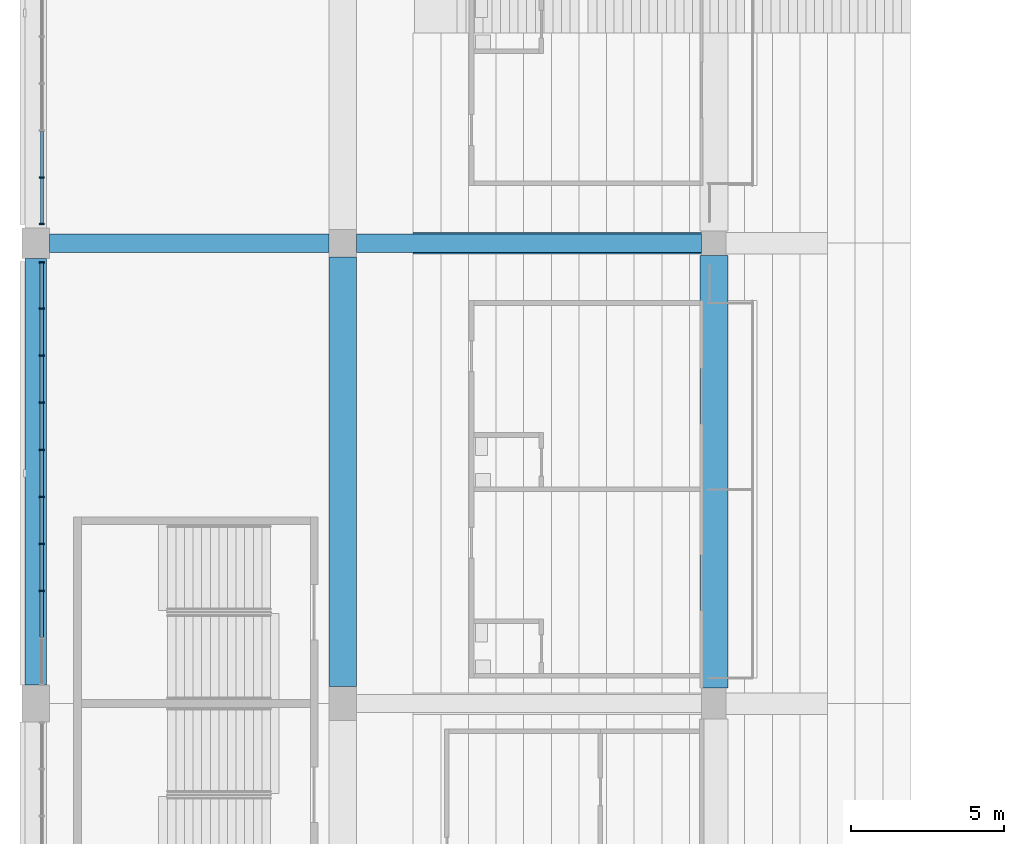
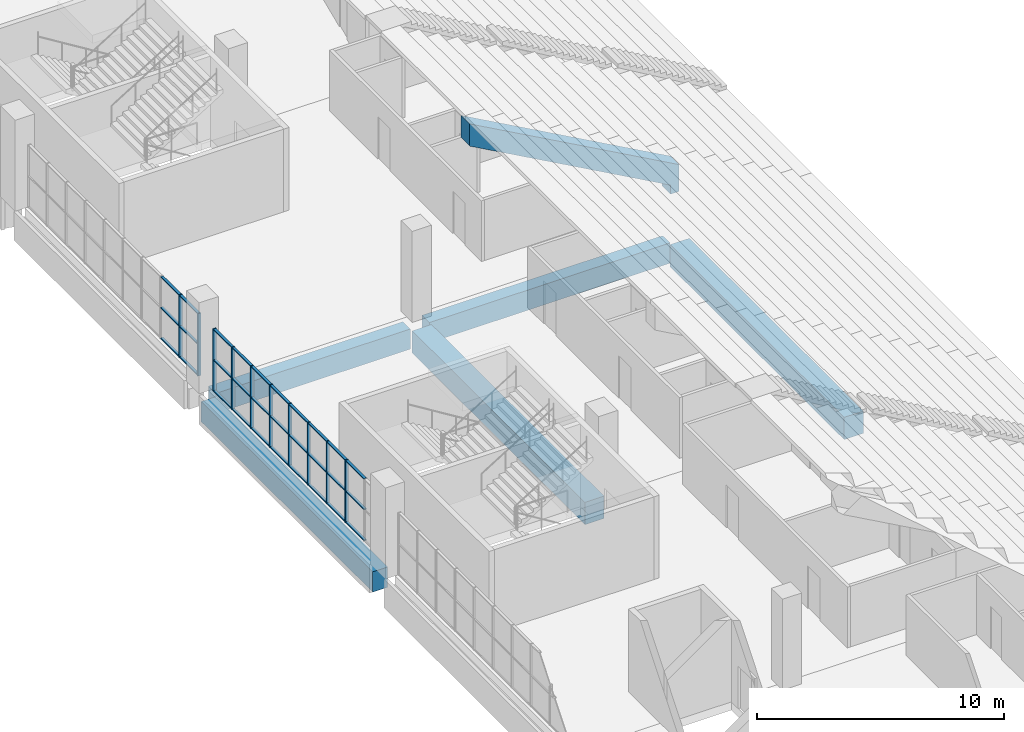
# One storey, part 39 of 249: 40 members, 6 beams, 2 elements without a shape of their own.
"""IFC4 building model written with IfcOpenShell, lengths in metres."""

from ifc_helpers import new_model, si_unit, direction, frame, origin, origin_2d, place, context, subcontext, project, spatial, polyline, rectangle, outline, extrude, material, material_profile, profile_set, type_object, element, aggregate, save


model = new_model("IFC4")

# Units and contexts
model_context = context("Model", 3, precision=1e-05, world=origin(), true_north=direction((0.0, 1.0)))
body_context = subcontext(model_context, "Body", "Model", "MODEL_VIEW")
ifc_project = project(units=[si_unit("LENGTHUNIT", "METRE"), si_unit("AREAUNIT", "SQUARE_METRE"), si_unit("VOLUMEUNIT", "CUBIC_METRE"), si_unit("PLANEANGLEUNIT", "RADIAN"), si_unit("MASSUNIT", "GRAM", prefix="KILO")], contexts=[model_context])

# Site, building, storey
site_placement = place(None, origin())
site = spatial("IfcSite", under=ifc_project, at=site_placement, CompositionType="ELEMENT")
building_placement = place(site_placement, origin())
building = spatial("IfcBuilding", under=site, at=building_placement, Name="Ogive Plaza Stadium", CompositionType="ELEMENT")
storey_placement = place(building_placement, frame((0.0, 0.0, 13.5)))
storey = spatial("IfcBuildingStorey", under=building, at=storey_placement, Name="L03", CompositionType="ELEMENT", Elevation=13.5)

# Curtain wall, members
ifc_material_1 = material(Name="Bronze-anodised aluminium with laminated glass", Category="aluminium")
curtain_wall_type = type_object("IfcCurtainWallType", Name="Lancet curtain wall", PredefinedType="NOTDEFINED", material=ifc_material_1)
curtain_wall_1_placement = place(storey_placement, origin())
curtain_wall_1 = element("IfcCurtainWall", 1, at=curtain_wall_1_placement, inside=storey, type_object=curtain_wall_type, Name="CURTAIN WALL B26 L03", PredefinedType="NOTDEFINED")
ifc_material_2 = material(Name="Bronze-anodised aluminium", Category="aluminium")
ifc_material_profile_1 = material_profile(ifc_material_2, rectangle(XDim=0.14990234375, YDim=0.050048828125, at=origin_2d()), Name="AL 150x50")
ifc_profile_set_1 = profile_set([ifc_material_profile_1], Name="Bronze-anodised aluminium")
member_type_1 = type_object("IfcMemberType", Name="Curtain wall mullion 50x150", PredefinedType="MULLION", material=ifc_profile_set_1)
member_1_placement = place(storey_placement, frame((-83.800048828125, 26.166748046875, 0.0), z_axis=(0.0, 0.0, 1.0), x_axis=(-1.0, 0.0, 0.0)))
member_1 = element("IfcMember", 2, at=member_1_placement, type_object=member_type_1, Name="CW-B26-L03 mullion 3", PredefinedType="MULLION", context=body_context, shape_type="SweptSolid", body=[
    extrude(rectangle(XDim=0.14990234375, YDim=0.050048828125, at=origin_2d()), origin(), (0.0, 0.0, 1.0), 3.090087890625),
])
member_2_placement = place(storey_placement, frame((-83.800048828125, 27.699951171875, 0.0), z_axis=(0.0, 0.0, 1.0), x_axis=(-1.0, 0.0, 0.0)))
member_2 = element("IfcMember", 3, at=member_2_placement, type_object=member_type_1, Name="CW-B26-L03 mullion 4", PredefinedType="MULLION", context=body_context, shape_type="SweptSolid", body=[
    extrude(rectangle(XDim=0.14990234375, YDim=0.050048828125, at=origin_2d()), origin(), (0.0, 0.0, 1.0), 3.090087890625),
])
member_3_placement = place(storey_placement, frame((-83.800048828125, 29.2333984375, 0.0), z_axis=(0.0, 0.0, 1.0), x_axis=(-1.0, 0.0, 0.0)))
member_3 = element("IfcMember", 4, at=member_3_placement, type_object=member_type_1, Name="CW-B26-L03 mullion 5", PredefinedType="MULLION", context=body_context, shape_type="SweptSolid", body=[
    extrude(rectangle(XDim=0.14990234375, YDim=0.050048828125, at=origin_2d()), origin(), (0.0, 0.0, 1.0), 3.090087890625),
])
member_4_placement = place(storey_placement, frame((-83.800048828125, 30.7666015625, 0.0), z_axis=(0.0, 0.0, 1.0), x_axis=(-1.0, 0.0, 0.0)))
member_4 = element("IfcMember", 5, at=member_4_placement, type_object=member_type_1, Name="CW-B26-L03 mullion 6", PredefinedType="MULLION", context=body_context, shape_type="SweptSolid", body=[
    extrude(rectangle(XDim=0.14990234375, YDim=0.050048828125, at=origin_2d()), origin(), (0.0, 0.0, 1.0), 3.090087890625),
])
member_5_placement = place(storey_placement, frame((-83.800048828125, 32.300048828125, 0.0), z_axis=(0.0, 0.0, 1.0), x_axis=(-1.0, 0.0, 0.0)))
member_5 = element("IfcMember", 6, at=member_5_placement, type_object=member_type_1, Name="CW-B26-L03 mullion 7", PredefinedType="MULLION", context=body_context, shape_type="SweptSolid", body=[
    extrude(rectangle(XDim=0.14990234375, YDim=0.050048828125, at=origin_2d()), origin(), (0.0, 0.0, 1.0), 3.090087890625),
])
member_6_placement = place(storey_placement, frame((-83.800048828125, 33.833251953125, 0.0), z_axis=(0.0, 0.0, 1.0), x_axis=(-1.0, 0.0, 0.0)))
member_6 = element("IfcMember", 7, at=member_6_placement, type_object=member_type_1, Name="CW-B26-L03 mullion 8", PredefinedType="MULLION", context=body_context, shape_type="SweptSolid", body=[
    extrude(rectangle(XDim=0.14990234375, YDim=0.050048828125, at=origin_2d()), origin(), (0.0, 0.0, 1.0), 3.090087890625),
])
member_7_placement = place(storey_placement, frame((-83.800048828125, 35.36669921875, 0.0), z_axis=(0.0, 0.0, 1.0), x_axis=(-1.0, 0.0, 0.0)))
member_7 = element("IfcMember", 8, at=member_7_placement, type_object=member_type_1, Name="CW-B26-L03 mullion 9", PredefinedType="MULLION", context=body_context, shape_type="SweptSolid", body=[
    extrude(rectangle(XDim=0.14990234375, YDim=0.050048828125, at=origin_2d()), origin(), (0.0, 0.0, 1.0), 3.090087890625),
])
member_8_placement = place(storey_placement, frame((-83.800048828125, 36.875, 0.0), z_axis=(0.0, 0.0, 1.0), x_axis=(-1.0, 0.0, 0.0)))
member_8 = element("IfcMember", 9, at=member_8_placement, type_object=member_type_1, Name="CW-B26-L03 mullion 10", PredefinedType="MULLION", context=body_context, shape_type="SweptSolid", body=[
    extrude(rectangle(XDim=0.14990234375, YDim=0.050048828125, at=origin_2d()), origin(), (0.0, 0.0, 1.0), 3.090087890625),
])

curtain_wall_2_placement = place(storey_placement, origin())
curtain_wall_2 = element("IfcCurtainWall", 10, at=curtain_wall_2_placement, inside=storey, type_object=curtain_wall_type, Name="CURTAIN WALL B27 L03", PredefinedType="NOTDEFINED")
member_9_placement = place(storey_placement, frame((-83.800048828125, 38.125, 0.0), z_axis=(0.0, 0.0, 1.0), x_axis=(-1.0, 0.0, 0.0)))
member_9 = element("IfcMember", 11, at=member_9_placement, type_object=member_type_1, Name="CW-B27-L03 mullion 1", PredefinedType="MULLION", context=body_context, shape_type="SweptSolid", body=[
    extrude(rectangle(XDim=0.14990234375, YDim=0.050048828125, at=origin_2d()), origin(), (0.0, 0.0, 1.0), 3.090087890625),
])
member_10_placement = place(storey_placement, frame((-83.800048828125, 39.63330078125, 0.0), z_axis=(0.0, 0.0, 1.0), x_axis=(-1.0, 0.0, 0.0)))
member_10 = element("IfcMember", 12, at=member_10_placement, type_object=member_type_1, Name="CW-B27-L03 mullion 2", PredefinedType="MULLION", context=body_context, shape_type="SweptSolid", body=[
    extrude(rectangle(XDim=0.14990234375, YDim=0.050048828125, at=origin_2d()), origin(), (0.0, 0.0, 1.0), 3.090087890625),
])

# Member
ifc_material_3 = material(Name="Bronze-anodised aluminium", Category="aluminium")
ifc_material_profile_2 = material_profile(ifc_material_3, rectangle(XDim=0.1201171875, YDim=0.050048828125, at=origin_2d()), Name="AL 120x50")
ifc_profile_set_2 = profile_set([ifc_material_profile_2], Name="Bronze-anodised aluminium")
member_type_2 = type_object("IfcMemberType", Name="Curtain wall transom 50x120", PredefinedType="USERDEFINED", material=ifc_profile_set_2)
member_11_placement = place(storey_placement, frame((-83.800048828125, 24.658447265625, 0.02490234375), z_axis=(0.0, 1.0, 0.0), x_axis=(-1.0, 0.0, 0.0)))
member_11 = element("IfcMember", 13, at=member_11_placement, type_object=member_type_2, Name="CW-B26-L03 transom 2.1", ObjectType="TRANSOM", PredefinedType="USERDEFINED", context=body_context, shape_type="SweptSolid", body=[
    extrude(rectangle(XDim=0.1201171875, YDim=0.050048828125, at=origin_2d()), origin(), (0.0, 0.0, 1.0), 1.483154296875),
])

member_12_placement = place(storey_placement, frame((-83.800048828125, 24.658447265625, 1.544921875), z_axis=(0.0, 1.0, 0.0), x_axis=(-1.0, 0.0, 0.0)))
member_12 = element("IfcMember", 14, at=member_12_placement, type_object=member_type_2, Name="CW-B26-L03 transom 2.2", ObjectType="TRANSOM", PredefinedType="USERDEFINED", context=body_context, shape_type="SweptSolid", body=[
    extrude(rectangle(XDim=0.1201171875, YDim=0.050048828125, at=origin_2d()), origin(), (0.0, 0.0, 1.0), 1.483154296875),
])

member_13_placement = place(storey_placement, frame((-83.800048828125, 24.658447265625, 3.06494140625), z_axis=(0.0, 1.0, 0.0), x_axis=(-1.0, 0.0, 0.0)))
member_13 = element("IfcMember", 15, at=member_13_placement, type_object=member_type_2, Name="CW-B26-L03 transom 2.3", ObjectType="TRANSOM", PredefinedType="USERDEFINED", context=body_context, shape_type="SweptSolid", body=[
    extrude(rectangle(XDim=0.1201171875, YDim=0.050048828125, at=origin_2d()), origin(), (0.0, 0.0, 1.0), 1.483154296875),
])

member_14_placement = place(storey_placement, frame((-83.800048828125, 26.191650390625, 0.02490234375), z_axis=(0.0, 1.0, 0.0), x_axis=(-1.0, 0.0, 0.0)))
member_14 = element("IfcMember", 16, at=member_14_placement, type_object=member_type_2, Name="CW-B26-L03 transom 3.1", ObjectType="TRANSOM", PredefinedType="USERDEFINED", context=body_context, shape_type="SweptSolid", body=[
    extrude(rectangle(XDim=0.1201171875, YDim=0.050048828125, at=origin_2d()), origin(), (0.0, 0.0, 1.0), 1.4833984375),
])

member_15_placement = place(storey_placement, frame((-83.800048828125, 26.191650390625, 1.544921875), z_axis=(0.0, 1.0, 0.0), x_axis=(-1.0, 0.0, 0.0)))
member_15 = element("IfcMember", 17, at=member_15_placement, type_object=member_type_2, Name="CW-B26-L03 transom 3.2", ObjectType="TRANSOM", PredefinedType="USERDEFINED", context=body_context, shape_type="SweptSolid", body=[
    extrude(rectangle(XDim=0.1201171875, YDim=0.050048828125, at=origin_2d()), origin(), (0.0, 0.0, 1.0), 1.4833984375),
])

member_16_placement = place(storey_placement, frame((-83.800048828125, 26.191650390625, 3.06494140625), z_axis=(0.0, 1.0, 0.0), x_axis=(-1.0, 0.0, 0.0)))
member_16 = element("IfcMember", 18, at=member_16_placement, type_object=member_type_2, Name="CW-B26-L03 transom 3.3", ObjectType="TRANSOM", PredefinedType="USERDEFINED", context=body_context, shape_type="SweptSolid", body=[
    extrude(rectangle(XDim=0.1201171875, YDim=0.050048828125, at=origin_2d()), origin(), (0.0, 0.0, 1.0), 1.4833984375),
])

member_17_placement = place(storey_placement, frame((-83.800048828125, 27.72509765625, 0.02490234375), z_axis=(0.0, 1.0, 0.0), x_axis=(-1.0, 0.0, 0.0)))
member_17 = element("IfcMember", 19, at=member_17_placement, type_object=member_type_2, Name="CW-B26-L03 transom 4.1", ObjectType="TRANSOM", PredefinedType="USERDEFINED", context=body_context, shape_type="SweptSolid", body=[
    extrude(rectangle(XDim=0.1201171875, YDim=0.050048828125, at=origin_2d()), origin(), (0.0, 0.0, 1.0), 1.483154296875),
])

member_18_placement = place(storey_placement, frame((-83.800048828125, 27.72509765625, 1.544921875), z_axis=(0.0, 1.0, 0.0), x_axis=(-1.0, 0.0, 0.0)))
member_18 = element("IfcMember", 20, at=member_18_placement, type_object=member_type_2, Name="CW-B26-L03 transom 4.2", ObjectType="TRANSOM", PredefinedType="USERDEFINED", context=body_context, shape_type="SweptSolid", body=[
    extrude(rectangle(XDim=0.1201171875, YDim=0.050048828125, at=origin_2d()), origin(), (0.0, 0.0, 1.0), 1.483154296875),
])

member_19_placement = place(storey_placement, frame((-83.800048828125, 27.72509765625, 3.06494140625), z_axis=(0.0, 1.0, 0.0), x_axis=(-1.0, 0.0, 0.0)))
member_19 = element("IfcMember", 21, at=member_19_placement, type_object=member_type_2, Name="CW-B26-L03 transom 4.3", ObjectType="TRANSOM", PredefinedType="USERDEFINED", context=body_context, shape_type="SweptSolid", body=[
    extrude(rectangle(XDim=0.1201171875, YDim=0.050048828125, at=origin_2d()), origin(), (0.0, 0.0, 1.0), 1.483154296875),
])

member_20_placement = place(storey_placement, frame((-83.800048828125, 29.25830078125, 0.02490234375), z_axis=(0.0, 1.0, 0.0), x_axis=(-1.0, 0.0, 0.0)))
member_20 = element("IfcMember", 22, at=member_20_placement, type_object=member_type_2, Name="CW-B26-L03 transom 5.1", ObjectType="TRANSOM", PredefinedType="USERDEFINED", context=body_context, shape_type="SweptSolid", body=[
    extrude(rectangle(XDim=0.1201171875, YDim=0.050048828125, at=origin_2d()), origin(), (0.0, 0.0, 1.0), 1.4833984375),
])

member_21_placement = place(storey_placement, frame((-83.800048828125, 29.25830078125, 1.544921875), z_axis=(0.0, 1.0, 0.0), x_axis=(-1.0, 0.0, 0.0)))
member_21 = element("IfcMember", 23, at=member_21_placement, type_object=member_type_2, Name="CW-B26-L03 transom 5.2", ObjectType="TRANSOM", PredefinedType="USERDEFINED", context=body_context, shape_type="SweptSolid", body=[
    extrude(rectangle(XDim=0.1201171875, YDim=0.050048828125, at=origin_2d()), origin(), (0.0, 0.0, 1.0), 1.4833984375),
])

member_22_placement = place(storey_placement, frame((-83.800048828125, 29.25830078125, 3.06494140625), z_axis=(0.0, 1.0, 0.0), x_axis=(-1.0, 0.0, 0.0)))
member_22 = element("IfcMember", 24, at=member_22_placement, type_object=member_type_2, Name="CW-B26-L03 transom 5.3", ObjectType="TRANSOM", PredefinedType="USERDEFINED", context=body_context, shape_type="SweptSolid", body=[
    extrude(rectangle(XDim=0.1201171875, YDim=0.050048828125, at=origin_2d()), origin(), (0.0, 0.0, 1.0), 1.4833984375),
])

member_23_placement = place(storey_placement, frame((-83.800048828125, 30.791748046875, 0.02490234375), z_axis=(0.0, 1.0, 0.0), x_axis=(-1.0, 0.0, 0.0)))
member_23 = element("IfcMember", 25, at=member_23_placement, type_object=member_type_2, Name="CW-B26-L03 transom 6.1", ObjectType="TRANSOM", PredefinedType="USERDEFINED", context=body_context, shape_type="SweptSolid", body=[
    extrude(rectangle(XDim=0.1201171875, YDim=0.050048828125, at=origin_2d()), origin(), (0.0, 0.0, 1.0), 1.483154296875),
])

member_24_placement = place(storey_placement, frame((-83.800048828125, 30.791748046875, 1.544921875), z_axis=(0.0, 1.0, 0.0), x_axis=(-1.0, 0.0, 0.0)))
member_24 = element("IfcMember", 26, at=member_24_placement, type_object=member_type_2, Name="CW-B26-L03 transom 6.2", ObjectType="TRANSOM", PredefinedType="USERDEFINED", context=body_context, shape_type="SweptSolid", body=[
    extrude(rectangle(XDim=0.1201171875, YDim=0.050048828125, at=origin_2d()), origin(), (0.0, 0.0, 1.0), 1.483154296875),
])

member_25_placement = place(storey_placement, frame((-83.800048828125, 30.791748046875, 3.06494140625), z_axis=(0.0, 1.0, 0.0), x_axis=(-1.0, 0.0, 0.0)))
member_25 = element("IfcMember", 27, at=member_25_placement, type_object=member_type_2, Name="CW-B26-L03 transom 6.3", ObjectType="TRANSOM", PredefinedType="USERDEFINED", context=body_context, shape_type="SweptSolid", body=[
    extrude(rectangle(XDim=0.1201171875, YDim=0.050048828125, at=origin_2d()), origin(), (0.0, 0.0, 1.0), 1.483154296875),
])

member_26_placement = place(storey_placement, frame((-83.800048828125, 32.324951171875, 0.02490234375), z_axis=(0.0, 1.0, 0.0), x_axis=(-1.0, 0.0, 0.0)))
member_26 = element("IfcMember", 28, at=member_26_placement, type_object=member_type_2, Name="CW-B26-L03 transom 7.1", ObjectType="TRANSOM", PredefinedType="USERDEFINED", context=body_context, shape_type="SweptSolid", body=[
    extrude(rectangle(XDim=0.1201171875, YDim=0.050048828125, at=origin_2d()), origin(), (0.0, 0.0, 1.0), 1.4833984375),
])

member_27_placement = place(storey_placement, frame((-83.800048828125, 32.324951171875, 1.544921875), z_axis=(0.0, 1.0, 0.0), x_axis=(-1.0, 0.0, 0.0)))
member_27 = element("IfcMember", 29, at=member_27_placement, type_object=member_type_2, Name="CW-B26-L03 transom 7.2", ObjectType="TRANSOM", PredefinedType="USERDEFINED", context=body_context, shape_type="SweptSolid", body=[
    extrude(rectangle(XDim=0.1201171875, YDim=0.050048828125, at=origin_2d()), origin(), (0.0, 0.0, 1.0), 1.4833984375),
])

member_28_placement = place(storey_placement, frame((-83.800048828125, 32.324951171875, 3.06494140625), z_axis=(0.0, 1.0, 0.0), x_axis=(-1.0, 0.0, 0.0)))
member_28 = element("IfcMember", 30, at=member_28_placement, type_object=member_type_2, Name="CW-B26-L03 transom 7.3", ObjectType="TRANSOM", PredefinedType="USERDEFINED", context=body_context, shape_type="SweptSolid", body=[
    extrude(rectangle(XDim=0.1201171875, YDim=0.050048828125, at=origin_2d()), origin(), (0.0, 0.0, 1.0), 1.4833984375),
])

member_29_placement = place(storey_placement, frame((-83.800048828125, 33.8583984375, 0.02490234375), z_axis=(0.0, 1.0, 0.0), x_axis=(-1.0, 0.0, 0.0)))
member_29 = element("IfcMember", 31, at=member_29_placement, type_object=member_type_2, Name="CW-B26-L03 transom 8.1", ObjectType="TRANSOM", PredefinedType="USERDEFINED", context=body_context, shape_type="SweptSolid", body=[
    extrude(rectangle(XDim=0.1201171875, YDim=0.050048828125, at=origin_2d()), origin(), (0.0, 0.0, 1.0), 1.483154296875),
])

member_30_placement = place(storey_placement, frame((-83.800048828125, 33.8583984375, 1.544921875), z_axis=(0.0, 1.0, 0.0), x_axis=(-1.0, 0.0, 0.0)))
member_30 = element("IfcMember", 32, at=member_30_placement, type_object=member_type_2, Name="CW-B26-L03 transom 8.2", ObjectType="TRANSOM", PredefinedType="USERDEFINED", context=body_context, shape_type="SweptSolid", body=[
    extrude(rectangle(XDim=0.1201171875, YDim=0.050048828125, at=origin_2d()), origin(), (0.0, 0.0, 1.0), 1.483154296875),
])

member_31_placement = place(storey_placement, frame((-83.800048828125, 33.8583984375, 3.06494140625), z_axis=(0.0, 1.0, 0.0), x_axis=(-1.0, 0.0, 0.0)))
member_31 = element("IfcMember", 33, at=member_31_placement, type_object=member_type_2, Name="CW-B26-L03 transom 8.3", ObjectType="TRANSOM", PredefinedType="USERDEFINED", context=body_context, shape_type="SweptSolid", body=[
    extrude(rectangle(XDim=0.1201171875, YDim=0.050048828125, at=origin_2d()), origin(), (0.0, 0.0, 1.0), 1.483154296875),
])

member_32_placement = place(storey_placement, frame((-83.800048828125, 35.3916015625, 0.02490234375), z_axis=(0.0, 1.0, 0.0), x_axis=(-1.0, 0.0, 0.0)))
member_32 = element("IfcMember", 34, at=member_32_placement, type_object=member_type_2, Name="CW-B26-L03 transom 9.1", ObjectType="TRANSOM", PredefinedType="USERDEFINED", context=body_context, shape_type="SweptSolid", body=[
    extrude(rectangle(XDim=0.1201171875, YDim=0.050048828125, at=origin_2d()), origin(), (0.0, 0.0, 1.0), 1.45849609375),
])

member_33_placement = place(storey_placement, frame((-83.800048828125, 35.3916015625, 1.544921875), z_axis=(0.0, 1.0, 0.0), x_axis=(-1.0, 0.0, 0.0)))
member_33 = element("IfcMember", 35, at=member_33_placement, type_object=member_type_2, Name="CW-B26-L03 transom 9.2", ObjectType="TRANSOM", PredefinedType="USERDEFINED", context=body_context, shape_type="SweptSolid", body=[
    extrude(rectangle(XDim=0.1201171875, YDim=0.050048828125, at=origin_2d()), origin(), (0.0, 0.0, 1.0), 1.45849609375),
])

member_34_placement = place(storey_placement, frame((-83.800048828125, 35.3916015625, 3.06494140625), z_axis=(0.0, 1.0, 0.0), x_axis=(-1.0, 0.0, 0.0)))
member_34 = element("IfcMember", 36, at=member_34_placement, type_object=member_type_2, Name="CW-B26-L03 transom 9.3", ObjectType="TRANSOM", PredefinedType="USERDEFINED", context=body_context, shape_type="SweptSolid", body=[
    extrude(rectangle(XDim=0.1201171875, YDim=0.050048828125, at=origin_2d()), origin(), (0.0, 0.0, 1.0), 1.45849609375),
])

aggregate(curtain_wall_1, [member_1, member_2, member_3, member_4, member_5, member_6, member_7, member_8, member_11, member_12, member_13, member_14, member_15, member_16, member_17, member_18, member_19, member_20, member_21, member_22, member_23, member_24, member_25, member_26, member_27, member_28, member_29, member_30, member_31, member_32, member_33, member_34])

member_35_placement = place(storey_placement, frame((-83.800048828125, 38.14990234375, 0.02490234375), z_axis=(0.0, 1.0, 0.0), x_axis=(-1.0, 0.0, 0.0)))
member_35 = element("IfcMember", 37, at=member_35_placement, type_object=member_type_2, Name="CW-B27-L03 transom 1.1", ObjectType="TRANSOM", PredefinedType="USERDEFINED", context=body_context, shape_type="SweptSolid", body=[
    extrude(rectangle(XDim=0.1201171875, YDim=0.050048828125, at=origin_2d()), origin(), (0.0, 0.0, 1.0), 1.45849609375),
])

member_36_placement = place(storey_placement, frame((-83.800048828125, 38.14990234375, 1.544921875), z_axis=(0.0, 1.0, 0.0), x_axis=(-1.0, 0.0, 0.0)))
member_36 = element("IfcMember", 38, at=member_36_placement, type_object=member_type_2, Name="CW-B27-L03 transom 1.2", ObjectType="TRANSOM", PredefinedType="USERDEFINED", context=body_context, shape_type="SweptSolid", body=[
    extrude(rectangle(XDim=0.1201171875, YDim=0.050048828125, at=origin_2d()), origin(), (0.0, 0.0, 1.0), 1.45849609375),
])

member_37_placement = place(storey_placement, frame((-83.800048828125, 38.14990234375, 3.06494140625), z_axis=(0.0, 1.0, 0.0), x_axis=(-1.0, 0.0, 0.0)))
member_37 = element("IfcMember", 39, at=member_37_placement, type_object=member_type_2, Name="CW-B27-L03 transom 1.3", ObjectType="TRANSOM", PredefinedType="USERDEFINED", context=body_context, shape_type="SweptSolid", body=[
    extrude(rectangle(XDim=0.1201171875, YDim=0.050048828125, at=origin_2d()), origin(), (0.0, 0.0, 1.0), 1.45849609375),
])

member_38_placement = place(storey_placement, frame((-83.800048828125, 39.658447265625, 0.02490234375), z_axis=(0.0, 1.0, 0.0), x_axis=(-1.0, 0.0, 0.0)))
member_38 = element("IfcMember", 40, at=member_38_placement, type_object=member_type_2, Name="CW-B27-L03 transom 2.1", ObjectType="TRANSOM", PredefinedType="USERDEFINED", context=body_context, shape_type="SweptSolid", body=[
    extrude(rectangle(XDim=0.1201171875, YDim=0.050048828125, at=origin_2d()), origin(), (0.0, 0.0, 1.0), 1.483154296875),
])

member_39_placement = place(storey_placement, frame((-83.800048828125, 39.658447265625, 1.544921875), z_axis=(0.0, 1.0, 0.0), x_axis=(-1.0, 0.0, 0.0)))
member_39 = element("IfcMember", 41, at=member_39_placement, type_object=member_type_2, Name="CW-B27-L03 transom 2.2", ObjectType="TRANSOM", PredefinedType="USERDEFINED", context=body_context, shape_type="SweptSolid", body=[
    extrude(rectangle(XDim=0.1201171875, YDim=0.050048828125, at=origin_2d()), origin(), (0.0, 0.0, 1.0), 1.483154296875),
])

member_40_placement = place(storey_placement, frame((-83.800048828125, 39.658447265625, 3.06494140625), z_axis=(0.0, 1.0, 0.0), x_axis=(-1.0, 0.0, 0.0)))
member_40 = element("IfcMember", 42, at=member_40_placement, type_object=member_type_2, Name="CW-B27-L03 transom 2.3", ObjectType="TRANSOM", PredefinedType="USERDEFINED", context=body_context, shape_type="SweptSolid", body=[
    extrude(rectangle(XDim=0.1201171875, YDim=0.050048828125, at=origin_2d()), origin(), (0.0, 0.0, 1.0), 1.483154296875),
])

aggregate(curtain_wall_2, [member_9, member_10, member_35, member_36, member_37, member_38, member_39, member_40])

# Beams
ifc_material_4 = material(Name="Concrete C45/55 precast", Category="concrete")
ifc_material_profile_3 = material_profile(ifc_material_4, rectangle(XDim=0.699951171875, YDim=1.10009765625, at=origin_2d()), Name="RC 700x1100")
ifc_profile_set_3 = profile_set([ifc_material_profile_3], Name="Concrete C45/55 precast")
beam_type_1 = type_object("IfcBeamType", Name="Precast raker UT back-span 700x1100", PredefinedType="USERDEFINED", material=ifc_profile_set_3)
beam_1_placement = place(storey_placement, frame((-34.0, 37.5, -13.5), z_axis=(0.0, 0.0, 1.0), x_axis=(-1.0, 0.0, 0.0)))
element("IfcBeam", 43, at=beam_1_placement, inside=storey, type_object=beam_type_1, Name="RAKER UT BACK-SPAN R27", ObjectType="RAKER", PredefinedType="USERDEFINED", context=body_context, shape_type="SweptSolid", body=[
    extrude(outline(polyline([(27.89990234375, 15.533203125), (28.300048828125, 15.533203125), (28.300048828125, 15.977783203125), (37.699951171875, 21.199951171875), (37.699951171875, 22.300048828125), (27.89990234375, 16.855712890625), (27.89990234375, 15.533203125)])), frame((0.0, 0.35009765625, 0.0), z_axis=(0.0, -1.0, 0.0), x_axis=(1.0, 0.0, 0.0)), (0.0, 0.0, 1.0), 0.699951171875),
])
ifc_material_5 = material(Name="Concrete C40/50", Category="concrete")
ifc_material_profile_4 = material_profile(ifc_material_5, rectangle(XDim=0.60009765625, YDim=1.0, at=origin_2d()), Name="RC 600x1000")
ifc_profile_set_4 = profile_set([ifc_material_profile_4], Name="Concrete C40/50")
beam_type_2 = type_object("IfcBeamType", Name="RC radial beam 600x1000", PredefinedType="BEAM", material=ifc_profile_set_4)
beam_2_placement = place(storey_placement, frame((-62.300048828125, 37.5, -0.909912109375), z_axis=(-1.0, 0.0, 0.0), x_axis=(0.0, -1.0, 0.0)))
element("IfcBeam", 44, at=beam_2_placement, inside=storey, type_object=beam_type_2, Name="Radial beam L03 R27 F3F4", PredefinedType="BEAM", context=body_context, shape_type="SweptSolid", body=[
    extrude(rectangle(XDim=0.60009765625, YDim=1.0, at=origin_2d()), origin(), (0.0, 0.0, 1.0), 11.25),
])
beam_3_placement = place(storey_placement, frame((-74.449951171875, 37.5, -0.909912109375), z_axis=(-1.0, 0.0, 0.0), x_axis=(0.0, -1.0, 0.0)))
element("IfcBeam", 45, at=beam_3_placement, inside=storey, type_object=beam_type_2, Name="Radial beam L03 R27 F4F5", PredefinedType="BEAM", context=body_context, shape_type="SweptSolid", body=[
    extrude(rectangle(XDim=0.60009765625, YDim=1.0, at=origin_2d()), origin(), (0.0, 0.0, 1.0), 9.10009765625),
])
ifc_material_6 = material(Name="Concrete C40/50", Category="concrete")
ifc_material_profile_5 = material_profile(ifc_material_6, rectangle(XDim=0.89990234375, YDim=1.10009765625, at=origin_2d()), Name="RC 900x1100")
ifc_profile_set_5 = profile_set([ifc_material_profile_5], Name="Concrete C40/50")
beam_type_3 = type_object("IfcBeamType", Name="RC ring beam 900x1100", PredefinedType="BEAM", material=ifc_profile_set_5)
beam_4_placement = place(storey_placement, frame((-74.0, 23.050048828125, -0.9599609375), z_axis=(0.0, 1.0, 0.0), x_axis=(-1.0, 0.0, 0.0)))
element("IfcBeam", 46, at=beam_4_placement, inside=storey, type_object=beam_type_3, Name="Ring beam F4 L03 B26", PredefinedType="BEAM", context=body_context, shape_type="SweptSolid", body=[
    extrude(rectangle(XDim=0.89990234375, YDim=1.10009765625, at=origin_2d()), origin(), (0.0, 0.0, 1.0), 14.0),
])
beam_5_placement = place(storey_placement, frame((-61.89990234375, 23.0, -0.9599609375), z_axis=(0.0, 1.0, 0.0), x_axis=(-1.0, 0.0, 0.0)))
element("IfcBeam", 47, at=beam_5_placement, inside=storey, type_object=beam_type_3, Name="Ring beam F3 L03 B26", PredefinedType="BEAM", context=body_context, shape_type="SweptSolid", body=[
    extrude(rectangle(XDim=0.89990234375, YDim=1.10009765625, at=origin_2d()), origin(), (0.0, 0.0, 1.0), 14.10009765625),
])
ifc_material_7 = material(Name="Concrete C40/50", Category="concrete")
ifc_material_profile_6 = material_profile(ifc_material_7, rectangle(XDim=0.699951171875, YDim=1.0, at=origin_2d()), Name="RC 700x1000")
ifc_profile_set_6 = profile_set([ifc_material_profile_6], Name="Concrete C40/50")
beam_type_4 = type_object("IfcBeamType", Name="RC spandrel beam 700x1000", PredefinedType="SPANDREL", material=ifc_profile_set_6)
beam_6_placement = place(storey_placement, frame((-84.0, 23.10009765625, -0.909912109375), z_axis=(0.0, 1.0, 0.0), x_axis=(-1.0, 0.0, 0.0)))
element("IfcBeam", 48, at=beam_6_placement, inside=storey, type_object=beam_type_4, Name="Ring beam F5 L03 B26", PredefinedType="SPANDREL", context=body_context, shape_type="SweptSolid", body=[
    extrude(rectangle(XDim=0.699951171875, YDim=1.0, at=origin_2d()), origin(), (0.0, 0.0, 1.0), 13.89990234375),
])

save(model, "model.ifc")
